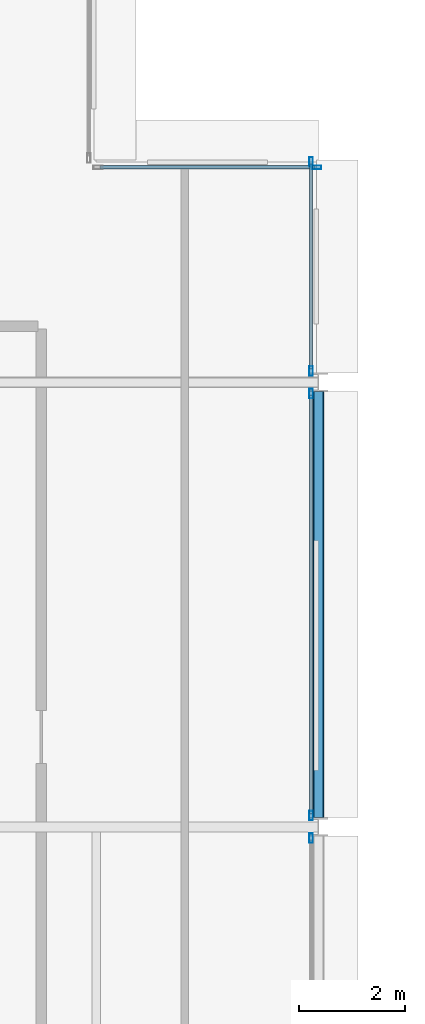
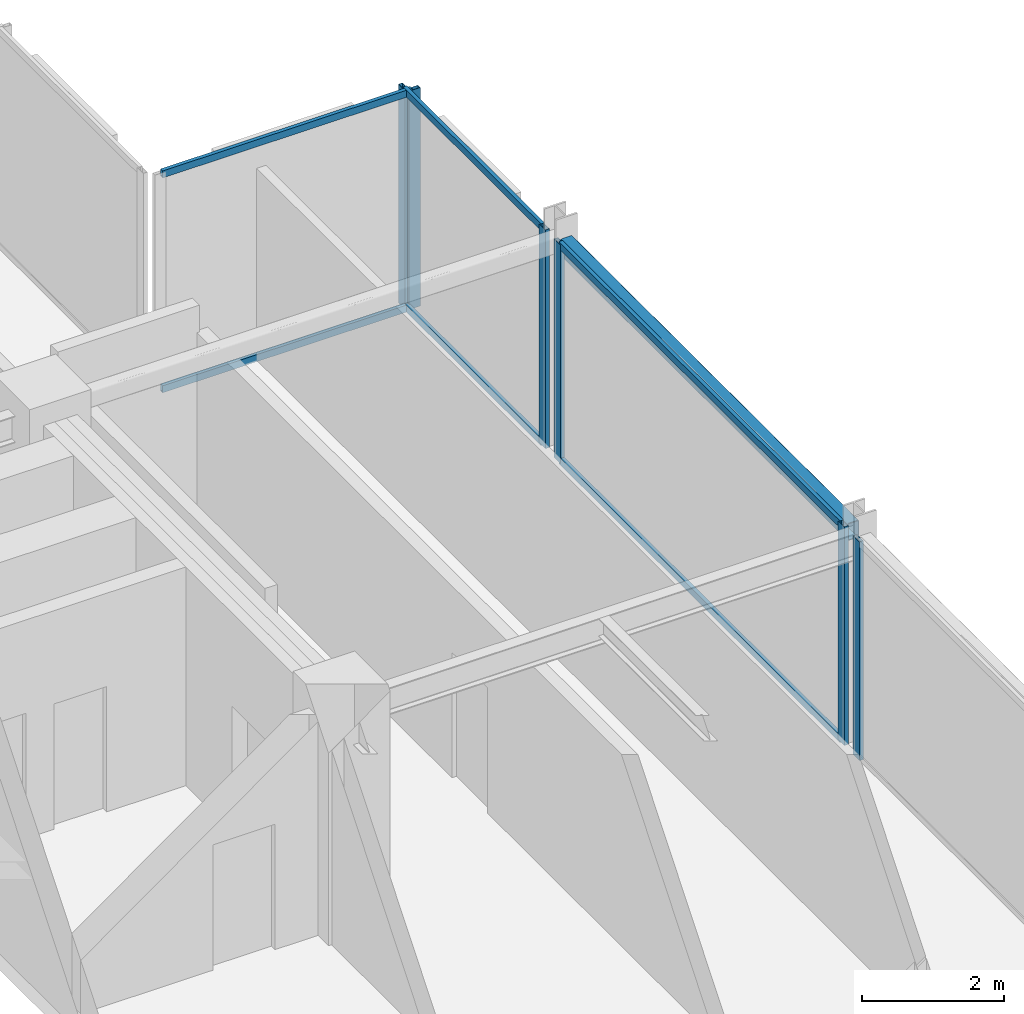
# One storey, part 22 of 30: 12 members, 1 beam, 4 elements without a shape of their own.
"""IFC4 building model written with IfcOpenShell, lengths in metres."""

from ifc_helpers import new_model, si_unit, direction, frame, origin, origin_2d, place, context, subcontext, project, spatial, hollow_rectangle, extrude, material, layer, layer_set, material_profile, profile_set, type_object, element, aggregate, save


model = new_model("IFC4")

# Units and contexts
model_context = context("Model", 3, precision=1e-05, world=origin(), true_north=direction((0.0, 1.0)))
body_context = subcontext(model_context, "Body", "Model", "MODEL_VIEW")
ifc_project = project(units=[si_unit("LENGTHUNIT", "METRE"), si_unit("AREAUNIT", "SQUARE_METRE"), si_unit("VOLUMEUNIT", "CUBIC_METRE"), si_unit("PLANEANGLEUNIT", "RADIAN"), si_unit("MASSUNIT", "GRAM", prefix="KILO")], contexts=[model_context])

# Site, building, storey
site_placement = place(None, origin())
site = spatial("IfcSite", under=ifc_project, at=site_placement, CompositionType="ELEMENT")
building_placement = place(site_placement, origin())
building = spatial("IfcBuilding", under=site, at=building_placement, Name="Nerrivon Quay Data Exchange", CompositionType="ELEMENT")
storey_placement = place(building_placement, frame((0.0, 0.0, 216.5)))
storey = spatial("IfcBuildingStorey", under=building, at=storey_placement, Name="L51", CompositionType="ELEMENT", Elevation=216.5)

# Beam
ifc_material_1 = material(Name="Steel Grade C350L0 (350 MPa)", Category="steel")
ifc_material_profile_1 = material_profile(ifc_material_1, hollow_rectangle(XDim=0.199951171875, YDim=0.300048828125, WallThickness=0.012451171875, InnerFilletRadius=0.018798828125, OuterFilletRadius=0.03125, at=origin_2d()), Name="300x200x12.5RHS")
ifc_profile_set_1 = profile_set([ifc_material_profile_1], Name="Steel Grade C350L0 (350 MPa)")
beam_type = type_object("IfcBeamType", Name="BM-SP3-300x200RHS", PredefinedType="SPANDREL", material=ifc_profile_set_1)
beam_placement = place(storey_placement, frame((25.199951171875, 33.77490234375, 3.60009765625), z_axis=(0.0, 1.0, 0.0), x_axis=(-1.0, 0.0, 0.0)))
element("IfcBeam", 1, at=beam_placement, inside=storey, type_object=beam_type, Name="L51 NS Girder X=25.2 (33.6..42.0)", PredefinedType="SPANDREL", context=body_context, shape_type="SweptSolid", body=[
    extrude(hollow_rectangle(XDim=0.199951171875, YDim=0.300048828125, WallThickness=0.012451171875, InnerFilletRadius=0.018798828125, OuterFilletRadius=0.03125, at=origin_2d()), origin(), (0.0, 0.0, 1.0), 8.050048828125),
])

# Curtain wall, member
ifc_material_2 = material(Name="Anodised aluminium 6063-T6", Category="aluminium")
ifc_layer = layer(ifc_material_2, 0.195068359375)
ifc_layer_set = layer_set([ifc_layer], Name="Anodised aluminium 6063-T6")
curtain_wall_type = type_object("IfcCurtainWallType", Name="CW-SYS-06", PredefinedType="NOTDEFINED", material=ifc_layer_set)
curtain_wall_1_placement = place(storey_placement, origin())
curtain_wall_1 = element("IfcCurtainWall", 2, at=curtain_wall_1_placement, inside=storey, type_object=curtain_wall_type, Name="L51 Unitised Curtain Wall 12", PredefinedType="NOTDEFINED")
ifc_material_profile_2 = material_profile(ifc_material_2, hollow_rectangle(XDim=0.06494140625, YDim=0.179931640625, WallThickness=0.00341796875, at=origin_2d()), Name="ALU-MULL-180x65")
ifc_profile_set_2 = profile_set([ifc_material_profile_2], Name="Anodised aluminium 6063-T6")
member_type_1 = type_object("IfcMemberType", Name="CWM-180x65", PredefinedType="MULLION", material=ifc_profile_set_2)
member_1_placement = place(storey_placement, frame((25.16259765625, 46.06005859375, 0.0), z_axis=(0.0, 0.0, 1.0), x_axis=(0.0, 1.0, 0.0)))
member_1 = element("IfcMember", 3, at=member_1_placement, type_object=member_type_1, Name="CW06 mullion 2", PredefinedType="MULLION", context=body_context, shape_type="SweptSolid", body=[
    extrude(hollow_rectangle(XDim=0.06494140625, YDim=0.179931640625, WallThickness=0.00341796875, at=origin_2d()), origin(), (0.0, 0.0, 1.0), 3.75),
])

# Curtain wall, members
curtain_wall_2_placement = place(storey_placement, origin())
curtain_wall_2 = element("IfcCurtainWall", 4, at=curtain_wall_2_placement, inside=storey, type_object=curtain_wall_type, Name="L51 Unitised Curtain Wall 13", PredefinedType="NOTDEFINED")
member_2_placement = place(storey_placement, frame((25.06005859375, 46.16259765625, 0.0), z_axis=(0.0, 0.0, 1.0), x_axis=(1.0, 0.0, 0.0)))
member_2 = element("IfcMember", 5, at=member_2_placement, type_object=member_type_1, Name="CW06 mullion 1", PredefinedType="MULLION", context=body_context, shape_type="SweptSolid", body=[
    extrude(hollow_rectangle(XDim=0.06494140625, YDim=0.179931640625, WallThickness=0.00341796875, at=origin_2d()), origin(), (0.0, 0.0, 1.0), 3.75),
])
member_3_placement = place(storey_placement, frame((25.06005859375, 42.21240234375, 0.0), z_axis=(0.0, 0.0, 1.0), x_axis=(1.0, 0.0, 0.0)))
member_3 = element("IfcMember", 6, at=member_3_placement, type_object=member_type_1, Name="CW06 mullion 2", PredefinedType="MULLION", context=body_context, shape_type="SweptSolid", body=[
    extrude(hollow_rectangle(XDim=0.06494140625, YDim=0.179931640625, WallThickness=0.00341796875, at=origin_2d()), origin(), (0.0, 0.0, 1.0), 3.75),
])

curtain_wall_3_placement = place(storey_placement, origin())
curtain_wall_3 = element("IfcCurtainWall", 7, at=curtain_wall_3_placement, inside=storey, type_object=curtain_wall_type, Name="L51 Unitised Curtain Wall 14", PredefinedType="NOTDEFINED")
member_4_placement = place(storey_placement, frame((25.06005859375, 41.78759765625, 0.0), z_axis=(0.0, 0.0, 1.0), x_axis=(1.0, 0.0, 0.0)))
member_4 = element("IfcMember", 8, at=member_4_placement, type_object=member_type_1, Name="CW06 mullion 1", PredefinedType="MULLION", context=body_context, shape_type="SweptSolid", body=[
    extrude(hollow_rectangle(XDim=0.06494140625, YDim=0.179931640625, WallThickness=0.00341796875, at=origin_2d()), origin(), (0.0, 0.0, 1.0), 3.75),
])
member_5_placement = place(storey_placement, frame((25.06005859375, 33.8125, 0.0), z_axis=(0.0, 0.0, 1.0), x_axis=(1.0, 0.0, 0.0)))
member_5 = element("IfcMember", 9, at=member_5_placement, type_object=member_type_1, Name="CW06 mullion 2", PredefinedType="MULLION", context=body_context, shape_type="SweptSolid", body=[
    extrude(hollow_rectangle(XDim=0.06494140625, YDim=0.179931640625, WallThickness=0.00341796875, at=origin_2d()), origin(), (0.0, 0.0, 1.0), 3.75),
])

# Curtain wall, member
curtain_wall_4_placement = place(storey_placement, origin())
curtain_wall_4 = element("IfcCurtainWall", 10, at=curtain_wall_4_placement, inside=storey, type_object=curtain_wall_type, Name="L51 Unitised Curtain Wall 15", PredefinedType="NOTDEFINED")
member_6_placement = place(storey_placement, frame((25.06005859375, 33.387451171875, 0.0), z_axis=(0.0, 0.0, 1.0), x_axis=(1.0, 0.0, 0.0)))
member_6 = element("IfcMember", 11, at=member_6_placement, type_object=member_type_1, Name="CW06 mullion 1", PredefinedType="MULLION", context=body_context, shape_type="SweptSolid", body=[
    extrude(hollow_rectangle(XDim=0.06494140625, YDim=0.179931640625, WallThickness=0.00341796875, at=origin_2d()), origin(), (0.0, 0.0, 1.0), 3.75),
])
aggregate(curtain_wall_4, [member_6])

# Member
ifc_material_profile_3 = material_profile(ifc_material_2, hollow_rectangle(XDim=0.06005859375, YDim=0.1201171875, WallThickness=0.003173828125, at=origin_2d()), Name="ALU-TRAN-120x60")
ifc_profile_set_3 = profile_set([ifc_material_profile_3], Name="Anodised aluminium 6063-T6")
member_type_2 = type_object("IfcMemberType", Name="CWT-120x60", PredefinedType="USERDEFINED", material=ifc_profile_set_3)
member_7_placement = place(storey_placement, frame((21.074951171875, 46.06005859375, 0.032470703125), z_axis=(1.0, 0.0, 0.0), x_axis=(0.0, 1.0, 0.0)))
member_7 = element("IfcMember", 12, at=member_7_placement, type_object=member_type_2, Name="CW06 transom 1.1", ObjectType="TRANSOM", PredefinedType="USERDEFINED", context=body_context, shape_type="SweptSolid", body=[
    extrude(hollow_rectangle(XDim=0.06005859375, YDim=0.1201171875, WallThickness=0.003173828125, at=origin_2d()), origin(), (0.0, 0.0, 1.0), 4.050048828125),
])

member_8_placement = place(storey_placement, frame((21.074951171875, 46.06005859375, 3.717529296875), z_axis=(1.0, 0.0, 0.0), x_axis=(0.0, 1.0, 0.0)))
member_8 = element("IfcMember", 13, at=member_8_placement, type_object=member_type_2, Name="CW06 transom 1.2", ObjectType="TRANSOM", PredefinedType="USERDEFINED", context=body_context, shape_type="SweptSolid", body=[
    extrude(hollow_rectangle(XDim=0.06005859375, YDim=0.1201171875, WallThickness=0.003173828125, at=origin_2d()), origin(), (0.0, 0.0, 1.0), 4.050048828125),
])

aggregate(curtain_wall_1, [member_1, member_7, member_8])

member_9_placement = place(storey_placement, frame((25.06005859375, 46.125, 0.032470703125), z_axis=(0.0, -1.0, 0.0), x_axis=(1.0, 0.0, 0.0)))
member_9 = element("IfcMember", 14, at=member_9_placement, type_object=member_type_2, Name="CW06 transom 1.1", ObjectType="TRANSOM", PredefinedType="USERDEFINED", context=body_context, shape_type="SweptSolid", body=[
    extrude(hollow_rectangle(XDim=0.06005859375, YDim=0.1201171875, WallThickness=0.003173828125, at=origin_2d()), origin(), (0.0, 0.0, 1.0), 3.875),
])

member_10_placement = place(storey_placement, frame((25.06005859375, 46.125, 3.717529296875), z_axis=(0.0, -1.0, 0.0), x_axis=(1.0, 0.0, 0.0)))
member_10 = element("IfcMember", 15, at=member_10_placement, type_object=member_type_2, Name="CW06 transom 1.2", ObjectType="TRANSOM", PredefinedType="USERDEFINED", context=body_context, shape_type="SweptSolid", body=[
    extrude(hollow_rectangle(XDim=0.06005859375, YDim=0.1201171875, WallThickness=0.003173828125, at=origin_2d()), origin(), (0.0, 0.0, 1.0), 3.875),
])

aggregate(curtain_wall_2, [member_2, member_3, member_9, member_10])

member_11_placement = place(storey_placement, frame((25.06005859375, 41.75, 0.032470703125), z_axis=(0.0, -1.0, 0.0), x_axis=(1.0, 0.0, 0.0)))
member_11 = element("IfcMember", 16, at=member_11_placement, type_object=member_type_2, Name="CW06 transom 1.1", ObjectType="TRANSOM", PredefinedType="USERDEFINED", context=body_context, shape_type="SweptSolid", body=[
    extrude(hollow_rectangle(XDim=0.06005859375, YDim=0.1201171875, WallThickness=0.003173828125, at=origin_2d()), origin(), (0.0, 0.0, 1.0), 7.89990234375),
])

member_12_placement = place(storey_placement, frame((25.06005859375, 41.75, 3.717529296875), z_axis=(0.0, -1.0, 0.0), x_axis=(1.0, 0.0, 0.0)))
member_12 = element("IfcMember", 17, at=member_12_placement, type_object=member_type_2, Name="CW06 transom 1.2", ObjectType="TRANSOM", PredefinedType="USERDEFINED", context=body_context, shape_type="SweptSolid", body=[
    extrude(hollow_rectangle(XDim=0.06005859375, YDim=0.1201171875, WallThickness=0.003173828125, at=origin_2d()), origin(), (0.0, 0.0, 1.0), 7.89990234375),
])

aggregate(curtain_wall_3, [member_4, member_5, member_11, member_12])

save(model, "model.ifc")
